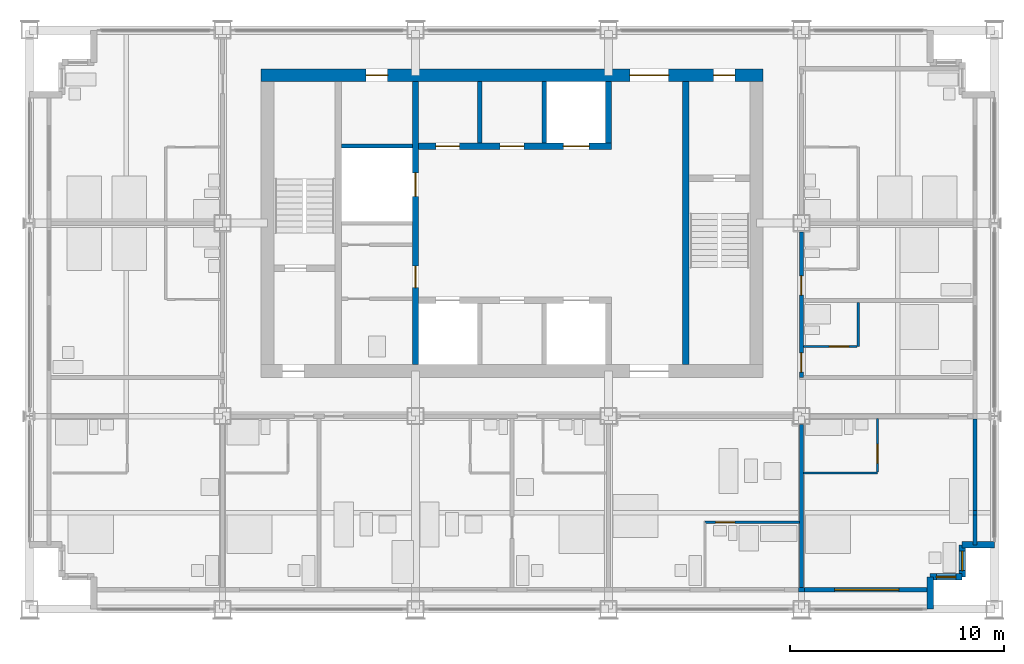
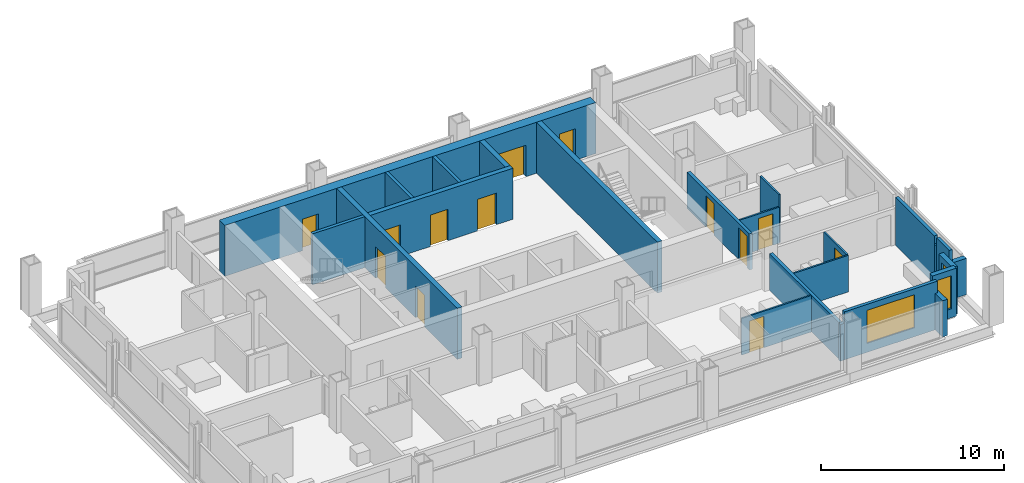
# One storey, part 9 of 13: 24 walls, 13 doors, 3 windows, 16 openings.
"""IFC4 building model written with IfcOpenShell, lengths in metres."""

import ifcopenshell
import ifcopenshell.guid

model = None  # the IFC model being written
_history = None  # IfcOwnerHistory: only IFC2X3 demands one
_inside = {}  # id of a spatial element -> (the spatial element, [elements in it])
_under = {}  # id of a project, library or spatial element -> (it, [spatial elements below it])
_declared = {}  # id of a project -> (the project, [libraries it declares])
_typed = {}  # id of a type object -> (the type object, [elements of that type])
_made_of = {}  # id of a material, layer set ... -> (it, [elements and type objects made of it])


def new_model(schema):
    """Start an empty IFC model of exactly this schema.

    Asked for "IFC4X3", IfcOpenShell would pick the latest addendum, in which some entities
    have other attributes; the version numbers below select the first issue.
    IFC2X3 requires an IfcOwnerHistory on every rooted entity: one is made here for all.
    """
    global model, _history
    if schema == "IFC4X3":
        model = ifcopenshell.file(schema_version=(4, 3, 0, 0))
    else:
        model = ifcopenshell.file(schema=schema)
    _inside.clear()
    _under.clear()
    _declared.clear()
    _typed.clear()
    _made_of.clear()
    _history = None
    if model.schema == "IFC2X3":
        org = make("IfcOrganization", Name="unknown")
        user = make(
            "IfcPersonAndOrganization",
            ThePerson=make("IfcPerson", FamilyName="unknown"),
            TheOrganization=org,
        )
        app = make(
            "IfcApplication",
            ApplicationDeveloper=org,
            Version="unknown",
            ApplicationFullName="unknown",
            ApplicationIdentifier="unknown",
        )
        _history = make(
            "IfcOwnerHistory",
            OwningUser=user,
            OwningApplication=app,
            ChangeAction="ADDED",
            CreationDate=0,
        )
    return model


def make(cls, **values):
    """One entity of the class cls with the attributes given. An attribute that is None is left unset."""
    return model.create_entity(
        cls, **{name: value for name, value in values.items() if value is not None}
    )


def rooted(cls, **values):
    """An entity with a GlobalId (a new one), such as an element, a storey or a relation."""
    return make(cls, GlobalId=ifcopenshell.guid.new(), OwnerHistory=_history, **values)


def si_unit(unit_type, name, prefix=None):
    """IfcSIUnit, for example si_unit("LENGTHUNIT", "METRE", prefix="MILLI")."""
    return make("IfcSIUnit", UnitType=unit_type, Prefix=prefix, Name=name)


def assignment(units):
    """IfcUnitAssignment: the units of a project."""
    return None if units is None else make("IfcUnitAssignment", Units=units)


def point(xyz):
    """IfcCartesianPoint."""
    return None if xyz is None else make("IfcCartesianPoint", Coordinates=xyz)


def direction(xyz):
    """IfcDirection."""
    return None if xyz is None else make("IfcDirection", DirectionRatios=xyz)


def frame(location, z_axis=None, x_axis=None):
    """IfcAxis2Placement3D, a coordinate frame: its origin and axes. An axis left out is left unset."""
    return make(
        "IfcAxis2Placement3D",
        Location=point(location),
        Axis=direction(z_axis),
        RefDirection=direction(x_axis),
    )


def frame_2d(location, x_axis=None):
    """IfcAxis2Placement2D, a coordinate frame in the plane: its origin and x axis."""
    return make(
        "IfcAxis2Placement2D", Location=point(location), RefDirection=direction(x_axis)
    )


def origin():
    """The frame at (0, 0, 0) with its axes left unset."""
    return frame((0.0, 0.0, 0.0))


def place(relative_to, where):
    """IfcLocalPlacement: puts the frame where relative to a parent placement (None: the world)."""
    return make(
        "IfcLocalPlacement", PlacementRelTo=relative_to, RelativePlacement=where
    )


def context(
    kind, dimensions, precision=None, world=None, true_north=None, identifier=None
):
    """IfcGeometricRepresentationContext, for example the 3D "Model" context."""
    return make(
        "IfcGeometricRepresentationContext",
        ContextIdentifier=identifier,
        ContextType=kind,
        CoordinateSpaceDimension=dimensions,
        Precision=precision,
        WorldCoordinateSystem=world,
        TrueNorth=true_north,
    )


def subcontext(parent, identifier, kind, view, scale=None):
    """IfcGeometricRepresentationSubContext, for example "Body" below "Model"."""
    return make(
        "IfcGeometricRepresentationSubContext",
        ContextIdentifier=identifier,
        ContextType=kind,
        ParentContext=parent,
        TargetScale=scale,
        TargetView=view,
    )


def project(units=None, contexts=None):
    """IfcProject with its units and contexts."""
    return rooted(
        "IfcProject",
        Name="project",
        RepresentationContexts=contexts,
        UnitsInContext=assignment(units),
    )


def spatial(cls, under=None, at=None, **own):
    """A site, building, storey or space (cls), placed at a placement, below another one or the project."""
    s = rooted(cls, ObjectPlacement=at, **own)
    if under is not None:
        _under.setdefault(under.id(), (under, []))[1].append(s)
    return s


def profile(cls, at=None, kind="AREA", **sizes):
    """A parametric profile (cls). Its sizes go by their IFC names, for example OverallWidth=200.0."""
    return make(cls, ProfileType=kind, Position=at, **sizes)


def rectangle(**sizes):
    """IfcRectangleProfileDef."""
    return profile("IfcRectangleProfileDef", **sizes)


def extrude(swept, where, along, depth):
    """IfcExtrudedAreaSolid: the profile swept, set in the frame where, extruded along a direction by depth."""
    return make(
        "IfcExtrudedAreaSolid",
        SweptArea=swept,
        Position=where,
        ExtrudedDirection=direction(along),
        Depth=depth,
    )


def shape(context_of_items, identifier, shape_type, items):
    """IfcShapeRepresentation: the items that make up one representation, for example the "Body"."""
    return make(
        "IfcShapeRepresentation",
        ContextOfItems=context_of_items,
        RepresentationIdentifier=identifier,
        RepresentationType=shape_type,
        Items=items,
    )


def material(Name=None, Category=None):
    """IfcMaterial."""
    return make("IfcMaterial", Name=Name, Category=Category)


def layer(
    of_material, thickness, ventilated=None, Name=None, Category=None, Priority=None
):
    """IfcMaterialLayer: one layer of a wall or slab, of a material (None: an air gap)."""
    return make(
        "IfcMaterialLayer",
        Material=of_material,
        LayerThickness=thickness,
        IsVentilated=ventilated,
        Name=Name,
        Category=Category,
        Priority=Priority,
    )


def layer_set(layers, Name=None):
    """IfcMaterialLayerSet."""
    return make("IfcMaterialLayerSet", MaterialLayers=layers, LayerSetName=Name)


def made_of(thing, what):
    """Note that an element or type object is made of a material, layer set ...; save() writes the relation."""
    if what is not None:
        _made_of.setdefault(what.id(), (what, []))[1].append(thing)
    return thing


def type_object(cls, material=None, **own):
    """A type object (cls), such as IfcWallType, which elements share."""
    return made_of(rooted(cls, **own), material)


def element(
    cls,
    number,
    at=None,
    inside=None,
    cuts=None,
    type_object=None,
    material=None,
    context=None,
    identifier="Body",
    shape_type=None,
    held_by="IfcProductDefinitionShape",
    body=None,
    shapes=None,
    **own,
):
    """One element of the class cls, such as IfcWall. Its Tag is "e" and its number.

    at: its placement. inside: the storey or other place that contains it. cuts: it is an
    opening in that element (IfcRelVoidsElement). A single representation is given by context,
    identifier, shape_type and body (its items); several are given by shapes. held_by: the class
    of the entity that holds the representations. save() writes the other relations.
    """
    e = rooted(cls, Tag="e%d" % number, ObjectPlacement=at, **own)
    if body is not None:
        shapes = [shape(context, identifier, shape_type, body)]
    if shapes is not None:
        e.Representation = make(held_by, Representations=shapes)
    if inside is not None:
        _inside.setdefault(inside.id(), (inside, []))[1].append(e)
    if cuts is not None:
        rooted(
            "IfcRelVoidsElement", RelatingBuildingElement=cuts, RelatedOpeningElement=e
        )
    if type_object is not None:
        _typed.setdefault(type_object.id(), (type_object, []))[1].append(e)
    return made_of(e, material)


def fill(opening, filler):
    """IfcRelFillsElement: the door or window that sits in an opening."""
    return rooted(
        "IfcRelFillsElement",
        RelatingOpeningElement=opening,
        RelatedBuildingElement=filler,
    )


def aggregate(whole, parts):
    """IfcRelAggregates: a whole, such as a stair, and the parts it consists of."""
    return rooted("IfcRelAggregates", RelatingObject=whole, RelatedObjects=parts)


def save(model, path):
    """Write the relations noted so far, then the file.

    IfcRelAggregates (storeys below a building ...), IfcRelContainedInSpatialStructure (elements
    in a storey), IfcRelDefinesByType, IfcRelAssociatesMaterial and IfcRelDeclares: one each for
    every whole, place, type object, material and project.
    """
    for whole, parts in _under.values():
        aggregate(whole, parts)
    for where, things in _inside.values():
        rooted(
            "IfcRelContainedInSpatialStructure",
            RelatedElements=things,
            RelatingStructure=where,
        )
    for kind, things in _typed.values():
        rooted("IfcRelDefinesByType", RelatedObjects=things, RelatingType=kind)
    for what, things in _made_of.values():
        rooted("IfcRelAssociatesMaterial", RelatedObjects=things, RelatingMaterial=what)
    for by, libraries in _declared.values():
        rooted("IfcRelDeclares", RelatingContext=by, RelatedDefinitions=libraries)
    model.write(path)


model = new_model("IFC4")

# Units and contexts
model_context = context("Model", 3, precision=1e-05, world=origin(), true_north=direction((0.0, 1.0)))
body_context = subcontext(model_context, "Body", "Model", "MODEL_VIEW")
ifc_project = project(units=[si_unit("LENGTHUNIT", "METRE"), si_unit("AREAUNIT", "SQUARE_METRE"), si_unit("VOLUMEUNIT", "CUBIC_METRE"), si_unit("PLANEANGLEUNIT", "RADIAN"), si_unit("MASSUNIT", "GRAM", prefix="KILO")], contexts=[model_context])

# Site, building, storey
site_placement = place(None, origin())
site = spatial("IfcSite", under=ifc_project, at=site_placement, CompositionType="ELEMENT")
building_placement = place(site_placement, origin())
building = spatial("IfcBuilding", under=site, at=building_placement, Name="Loomwork Tower", CompositionType="ELEMENT")
storey_placement = place(building_placement, frame((0.0, 0.0, 201.199951171875)))
storey = spatial("IfcBuildingStorey", under=building, at=storey_placement, Name="L55", CompositionType="ELEMENT", Elevation=201.199951171875)

# Wall, openings, doors
ifc_material_1 = material(Name="Concrete 14000 psi (97 MPa)", Category="concrete")
ifc_layer_1 = layer(ifc_material_1, 0.300048828125)
ifc_layer_set_1 = layer_set([ifc_layer_1], Name="Core shear wall 300")
wall_type_1 = type_object("IfcWallType", Name="Core shear wall 300", PredefinedType="SHEAR", material=ifc_layer_set_1)
wall_1_placement = place(storey_placement, frame((18.0, 11.39990234375, 0.0), z_axis=(0.0, 0.0, 1.0), x_axis=(0.0, 1.0, 0.0)))
wall_1 = element("IfcWall", 1, at=wall_1_placement, inside=storey, type_object=wall_type_1, Name="Lobby west wall L55", PredefinedType="SHEAR", context=body_context, shape_type="SweptSolid", body=[
    extrude(rectangle(XDim=13.2001953125, YDim=0.300048828125, at=frame_2d((6.60009765625, 0.0))), origin(), (0.0, 0.0, 1.0), 3.400146484375),
])
opening_1_placement = place(wall_1_placement, frame((3.60009765625, 0.0, 0.0)))
opening_1 = element("IfcOpeningElement", 2, at=opening_1_placement, cuts=wall_1, Name="Opening D5", PredefinedType="OPENING", context=body_context, shape_type="SweptSolid", body=[
    extrude(rectangle(XDim=1.0, YDim=2.10009765625, at=frame_2d((0.5, 1.050048828125))), frame((0.0, 0.159912109375, 0.0), z_axis=(0.0, -1.0, 0.0), x_axis=(1.0, 0.0, 0.0)), (0.0, 0.0, 1.0), 0.320068359375),
])
opening_2_placement = place(wall_1_placement, frame((7.85009765625, 0.0, 0.0)))
opening_2 = element("IfcOpeningElement", 3, at=opening_2_placement, cuts=wall_1, Name="Opening LD1", PredefinedType="OPENING", context=body_context, shape_type="SweptSolid", body=[
    extrude(rectangle(XDim=1.10009765625, YDim=2.10009765625, at=frame_2d((0.550048828125, 1.050048828125))), frame((0.0, 0.159912109375, 0.0), z_axis=(0.0, -1.0, 0.0), x_axis=(1.0, 0.0, 0.0)), (0.0, 0.0, 1.0), 0.320068359375),
])
ifc_material_2 = material(Name="Hollow metal door and frame")
door_type_1 = type_object("IfcDoorType", Name="Lift landing door 1100", OperationType="SLIDING_TO_LEFT", PredefinedType="DOOR", material=ifc_material_2)
door_1_placement = place(opening_2_placement, origin())
door_1 = element("IfcDoor", 4, at=door_1_placement, inside=storey, type_object=door_type_1, Name="Lift landing door LC2", OperationType="SLIDING_TO_LEFT", OverallHeight=2.10009765625, OverallWidth=1.10009765625, PredefinedType="DOOR", context=body_context, shape_type="SweptSolid", body=[
    extrude(rectangle(XDim=1.10009765625, YDim=2.10009765625, at=frame_2d((0.550048828125, 1.050048828125))), frame((0.0, 0.02490234375, 0.0), z_axis=(0.0, -1.0, 0.0), x_axis=(1.0, 0.0, 0.0)), (0.0, 0.0, 1.0), 0.050048828125),
])
fill(opening_2, door_1)
ifc_material_3 = material(Name="Hollow metal door and frame")
door_type_2 = type_object("IfcDoorType", Name="Service door 1000", OperationType="SINGLE_SWING_LEFT", PredefinedType="DOOR", material=ifc_material_3)
door_2_placement = place(opening_1_placement, origin())
door_2 = element("IfcDoor", 5, at=door_2_placement, inside=storey, type_object=door_type_2, Name="Back-of-house door south", OperationType="SINGLE_SWING_LEFT", OverallHeight=2.10009765625, OverallWidth=1.0, PredefinedType="DOOR", context=body_context, shape_type="SweptSolid", body=[
    extrude(rectangle(XDim=1.0, YDim=2.10009765625, at=frame_2d((0.5, 1.050048828125))), frame((0.0, 0.02490234375, 0.0), z_axis=(0.0, -1.0, 0.0), x_axis=(1.0, 0.0, 0.0)), (0.0, 0.0, 1.0), 0.050048828125),
])
fill(opening_1, door_2)

wall_2_placement = place(storey_placement, frame((18.14990234375, 21.60009765625, 0.0), z_axis=(0.0, 0.0, 1.0), x_axis=(1.0, 0.0, 0.0)))
wall_2 = element("IfcWall", 6, at=wall_2_placement, inside=storey, type_object=wall_type_1, Name="Lift front wall north L55", PredefinedType="SHEAR", context=body_context, shape_type="SweptSolid", body=[
    extrude(rectangle(XDim=9.0, YDim=0.300048828125, at=frame_2d((4.5, 0.0))), origin(), (0.0, 0.0, 1.0), 3.400146484375),
])
opening_3_placement = place(wall_2_placement, frame((6.75, 0.0, 0.0)))
opening_3 = element("IfcOpeningElement", 7, at=opening_3_placement, cuts=wall_2, Name="Opening LD2", PredefinedType="OPENING", context=body_context, shape_type="SweptSolid", body=[
    extrude(rectangle(XDim=1.199951171875, YDim=2.10009765625, at=frame_2d((0.60009765625, 1.050048828125))), frame((0.0, 0.159912109375, 0.0), z_axis=(0.0, -1.0, 0.0), x_axis=(1.0, 0.0, 0.0)), (0.0, 0.0, 1.0), 0.320068359375),
])
opening_4_placement = place(wall_2_placement, frame((0.800048828125, 0.0, 0.0)))
opening_4 = element("IfcOpeningElement", 8, at=opening_4_placement, cuts=wall_2, Name="Opening D17", PredefinedType="OPENING", context=body_context, shape_type="SweptSolid", body=[
    extrude(rectangle(XDim=1.10009765625, YDim=2.10009765625, at=frame_2d((0.550048828125, 1.050048828125))), frame((0.0, 0.159912109375, 0.0), z_axis=(0.0, -1.0, 0.0), x_axis=(1.0, 0.0, 0.0)), (0.0, 0.0, 1.0), 0.320068359375),
])
opening_5_placement = place(wall_2_placement, frame((3.800048828125, 0.0, 0.0)))
opening_5 = element("IfcOpeningElement", 9, at=opening_5_placement, cuts=wall_2, Name="Opening D17", PredefinedType="OPENING", context=body_context, shape_type="SweptSolid", body=[
    extrude(rectangle(XDim=1.10009765625, YDim=2.10009765625, at=frame_2d((0.550048828125, 1.050048828125))), frame((0.0, 0.159912109375, 0.0), z_axis=(0.0, -1.0, 0.0), x_axis=(1.0, 0.0, 0.0)), (0.0, 0.0, 1.0), 0.320068359375),
])
ifc_material_4 = material(Name="Hollow metal door and frame")
door_type_3 = type_object("IfcDoorType", Name="Lift landing door 1200", OperationType="SLIDING_TO_LEFT", PredefinedType="DOOR", material=ifc_material_4)
door_3_placement = place(opening_3_placement, origin())
door_3 = element("IfcDoor", 10, at=door_3_placement, inside=storey, type_object=door_type_3, Name="Lift landing door LF2", OperationType="SLIDING_TO_LEFT", OverallHeight=2.10009765625, OverallWidth=1.199951171875, PredefinedType="DOOR", context=body_context, shape_type="SweptSolid", body=[
    extrude(rectangle(XDim=1.199951171875, YDim=2.10009765625, at=frame_2d((0.60009765625, 1.050048828125))), frame((0.0, 0.02490234375, 0.0), z_axis=(0.0, -1.0, 0.0), x_axis=(1.0, 0.0, 0.0)), (0.0, 0.0, 1.0), 0.050048828125),
])
fill(opening_3, door_3)
ifc_material_5 = material(Name="Hollow metal door and frame")
door_type_4 = type_object("IfcDoorType", Name="Service room door 1100", OperationType="SINGLE_SWING_LEFT", PredefinedType="DOOR", material=ifc_material_5)
door_4_placement = place(opening_4_placement, origin())
door_4 = element("IfcDoor", 11, at=door_4_placement, inside=storey, type_object=door_type_4, Name="Linen and housekeeping store door L55", OperationType="SINGLE_SWING_LEFT", OverallHeight=2.10009765625, OverallWidth=1.10009765625, PredefinedType="DOOR", context=body_context, shape_type="SweptSolid", body=[
    extrude(rectangle(XDim=1.10009765625, YDim=2.10009765625, at=frame_2d((0.550048828125, 1.050048828125))), frame((0.0, 0.02490234375, 0.0), z_axis=(0.0, -1.0, 0.0), x_axis=(1.0, 0.0, 0.0)), (0.0, 0.0, 1.0), 0.050048828125),
])
fill(opening_4, door_4)
door_5_placement = place(opening_5_placement, origin())
door_5 = element("IfcDoor", 12, at=door_5_placement, inside=storey, type_object=door_type_4, Name="IT and communications room door L55", OperationType="SINGLE_SWING_LEFT", OverallHeight=2.10009765625, OverallWidth=1.10009765625, PredefinedType="DOOR", context=body_context, shape_type="SweptSolid", body=[
    extrude(rectangle(XDim=1.10009765625, YDim=2.10009765625, at=frame_2d((0.550048828125, 1.050048828125))), frame((0.0, 0.02490234375, 0.0), z_axis=(0.0, -1.0, 0.0), x_axis=(1.0, 0.0, 0.0)), (0.0, 0.0, 1.0), 0.050048828125),
])
fill(opening_5, door_5)

# Walls
wall_3_placement = place(storey_placement, frame((27.0, 21.75, 0.0), z_axis=(0.0, 0.0, 1.0), x_axis=(0.0, 1.0, 0.0)))
element("IfcWall", 13, at=wall_3_placement, inside=storey, type_object=wall_type_1, Name="Lift shaft end wall north L55", PredefinedType="SHEAR", context=body_context, shape_type="SweptSolid", body=[
    extrude(rectangle(XDim=2.85009765625, YDim=0.300048828125, at=frame_2d((1.425048828125, 0.0))), origin(), (0.0, 0.0, 1.0), 3.400146484375),
])
wall_4_placement = place(storey_placement, frame((30.60009765625, 11.39990234375, 0.0), z_axis=(0.0, 0.0, 1.0), x_axis=(0.0, 1.0, 0.0)))
element("IfcWall", 14, at=wall_4_placement, inside=storey, type_object=wall_type_1, Name="Stair B west wall L55", PredefinedType="SHEAR", context=body_context, shape_type="SweptSolid", body=[
    extrude(rectangle(XDim=13.2001953125, YDim=0.300048828125, at=frame_2d((6.60009765625, 0.0))), origin(), (0.0, 0.0, 1.0), 3.400146484375),
])

# Wall, openings, doors
ifc_material_6 = material(Name="Concrete 14000 psi (97 MPa)", Category="concrete")
ifc_layer_2 = layer(ifc_material_6, 0.60009765625)
ifc_layer_set_2 = layer_set([ifc_layer_2], Name="Core shear wall 600")
wall_type_2 = type_object("IfcWallType", Name="Core shear wall 600", PredefinedType="SHEAR", material=ifc_layer_set_2)
wall_5_placement = place(storey_placement, frame((10.800048828125, 24.89990234375, 0.0), z_axis=(0.0, 0.0, 1.0), x_axis=(1.0, 0.0, 0.0)))
wall_5 = element("IfcWall", 15, at=wall_5_placement, inside=storey, type_object=wall_type_2, Name="Core wall north L55", PredefinedType="SHEAR", context=body_context, shape_type="SweptSolid", body=[
    extrude(rectangle(XDim=23.39990234375, YDim=0.60009765625, at=frame_2d((11.699951171875, 0.0))), origin(), (0.0, 0.0, 1.0), 3.400146484375),
])
opening_6_placement = place(wall_5_placement, frame((17.199951171875, 0.0, 0.0)))
opening_6 = element("IfcOpeningElement", 16, at=opening_6_placement, cuts=wall_5, Name="Opening D6", PredefinedType="OPENING", context=body_context, shape_type="SweptSolid", body=[
    extrude(rectangle(XDim=1.800048828125, YDim=2.10009765625, at=frame_2d((0.89990234375, 1.050048828125))), frame((0.0, 0.31005859375, 0.0), z_axis=(0.0, -1.0, 0.0), x_axis=(1.0, 0.0, 0.0)), (0.0, 0.0, 1.0), 0.6201171875),
])
opening_7_placement = place(wall_5_placement, frame((21.10009765625, 0.0, 0.0)))
opening_7 = element("IfcOpeningElement", 17, at=opening_7_placement, cuts=wall_5, Name="Opening D4", PredefinedType="OPENING", context=body_context, shape_type="SweptSolid", body=[
    extrude(rectangle(XDim=1.0, YDim=2.10009765625, at=frame_2d((0.5, 1.050048828125))), frame((0.0, 0.31005859375, 0.0), z_axis=(0.0, -1.0, 0.0), x_axis=(1.0, 0.0, 0.0)), (0.0, 0.0, 1.0), 0.6201171875),
])
opening_8_placement = place(wall_5_placement, frame((4.89990234375, 0.0, 0.0)))
opening_8 = element("IfcOpeningElement", 18, at=opening_8_placement, cuts=wall_5, Name="Opening D5", PredefinedType="OPENING", context=body_context, shape_type="SweptSolid", body=[
    extrude(rectangle(XDim=1.0, YDim=2.10009765625, at=frame_2d((0.5, 1.050048828125))), frame((0.0, 0.31005859375, 0.0), z_axis=(0.0, -1.0, 0.0), x_axis=(1.0, 0.0, 0.0)), (0.0, 0.0, 1.0), 0.6201171875),
])
ifc_material_7 = material(Name="Hollow metal door and frame")
door_type_5 = type_object("IfcDoorType", Name="Lobby passage double door 1800", OperationType="DOUBLE_DOOR_SINGLE_SWING", PredefinedType="DOOR", material=ifc_material_7)
door_6_placement = place(opening_6_placement, frame((1.800048828125, 0.0, 0.0), z_axis=(0.0, 0.0, 1.0), x_axis=(-1.0, 0.0, 0.0)))
door_6 = element("IfcDoor", 19, at=door_6_placement, inside=storey, type_object=door_type_5, Name="Lobby passage door north", OperationType="DOUBLE_DOOR_SINGLE_SWING", OverallHeight=2.10009765625, OverallWidth=1.800048828125, PredefinedType="DOOR", context=body_context, shape_type="SweptSolid", body=[
    extrude(rectangle(XDim=1.800048828125, YDim=2.10009765625, at=frame_2d((0.89990234375, 1.050048828125))), frame((0.0, 0.02490234375, 0.0), z_axis=(0.0, -1.0, 0.0), x_axis=(1.0, 0.0, 0.0)), (0.0, 0.0, 1.0), 0.050048828125),
])
fill(opening_6, door_6)
door_7_placement = place(opening_8_placement, frame((1.0, 0.0, 0.0), z_axis=(0.0, 0.0, 1.0), x_axis=(-1.0, 0.0, 0.0)))
door_7 = element("IfcDoor", 20, at=door_7_placement, inside=storey, type_object=door_type_2, Name="Back-of-house door north", OperationType="SINGLE_SWING_LEFT", OverallHeight=2.10009765625, OverallWidth=1.0, PredefinedType="DOOR", context=body_context, shape_type="SweptSolid", body=[
    extrude(rectangle(XDim=1.0, YDim=2.10009765625, at=frame_2d((0.5, 1.050048828125))), frame((0.0, 0.02490234375, 0.0), z_axis=(0.0, -1.0, 0.0), x_axis=(1.0, 0.0, 0.0)), (0.0, 0.0, 1.0), 0.050048828125),
])
fill(opening_8, door_7)
ifc_material_8 = material(Name="Hollow metal door and frame")
door_type_6 = type_object("IfcDoorType", Name="Stair door 1000", OperationType="SINGLE_SWING_RIGHT", PredefinedType="DOOR", material=ifc_material_8)
door_8_placement = place(opening_7_placement, frame((1.0, 0.0, 0.0), z_axis=(0.0, 0.0, 1.0), x_axis=(-1.0, 0.0, 0.0)))
door_8 = element("IfcDoor", 21, at=door_8_placement, inside=storey, type_object=door_type_6, Name="Stair B vestibule door", OperationType="SINGLE_SWING_LEFT", OverallHeight=2.10009765625, OverallWidth=1.0, PredefinedType="DOOR", context=body_context, shape_type="SweptSolid", body=[
    extrude(rectangle(XDim=1.0, YDim=2.10009765625, at=frame_2d((0.5, 1.050048828125))), frame((0.0, 0.02490234375, 0.0), z_axis=(0.0, -1.0, 0.0), x_axis=(1.0, 0.0, 0.0)), (0.0, 0.0, 1.0), 0.050048828125),
])
fill(opening_7, door_8)

ifc_material_9 = material(Name="Gypsum board on steel studs, one-hour", Category="steel")
ifc_layer_3 = layer(ifc_material_9, 0.199951171875)
ifc_layer_set_3 = layer_set([ifc_layer_3], Name="Corridor wall 200")
wall_type_3 = type_object("IfcWallType", Name="Corridor wall 200", PredefinedType="PARTITIONING", material=ifc_layer_set_3)
wall_6_placement = place(storey_placement, frame((36.0, 10.800048828125, 0.0), z_axis=(0.0, 0.0, 1.0), x_axis=(0.0, 1.0, 0.0)))
wall_6 = element("IfcWall", 22, at=wall_6_placement, inside=storey, type_object=wall_type_3, Name="East corridor wall 1", PredefinedType="PARTITIONING", context=body_context, shape_type="SweptSolid", body=[
    extrude(rectangle(XDim=6.800048828125, YDim=0.199951171875, at=frame_2d((3.39990234375, 0.0))), origin(), (0.0, 0.0, 1.0), 2.405029296875),
])
opening_9_placement = place(wall_6_placement, frame((0.25, 0.0, 0.0)))
opening_9 = element("IfcOpeningElement", 23, at=opening_9_placement, cuts=wall_6, Name="Opening D1", PredefinedType="OPENING", context=body_context, shape_type="SweptSolid", body=[
    extrude(rectangle(XDim=0.89990234375, YDim=2.10009765625, at=frame_2d((0.449951171875, 1.050048828125))), frame((0.0, 0.10986328125, 0.0), z_axis=(0.0, -1.0, 0.0), x_axis=(1.0, 0.0, 0.0)), (0.0, 0.0, 1.0), 0.219970703125),
])
opening_10_placement = place(wall_6_placement, frame((3.85009765625, 0.0, 0.0)))
opening_10 = element("IfcOpeningElement", 24, at=opening_10_placement, cuts=wall_6, Name="Opening D1", PredefinedType="OPENING", context=body_context, shape_type="SweptSolid", body=[
    extrude(rectangle(XDim=0.89990234375, YDim=2.10009765625, at=frame_2d((0.449951171875, 1.050048828125))), frame((0.0, 0.10986328125, 0.0), z_axis=(0.0, -1.0, 0.0), x_axis=(1.0, 0.0, 0.0)), (0.0, 0.0, 1.0), 0.219970703125),
])
ifc_material_10 = material(Name="Hollow metal door and frame")
door_type_7 = type_object("IfcDoorType", Name="Guest room entry door 900", OperationType="SINGLE_SWING_LEFT", PredefinedType="DOOR", material=ifc_material_10)
door_9_placement = place(opening_9_placement, frame((0.89990234375, 0.0, 0.0), z_axis=(0.0, 0.0, 1.0), x_axis=(-1.0, 0.0, 0.0)))
door_9 = element("IfcDoor", 25, at=door_9_placement, inside=storey, type_object=door_type_7, Name="Guest room entry door L55 9", OperationType="SINGLE_SWING_RIGHT", OverallHeight=2.10009765625, OverallWidth=0.89990234375, PredefinedType="DOOR", context=body_context, shape_type="SweptSolid", body=[
    extrude(rectangle(XDim=0.89990234375, YDim=2.10009765625, at=frame_2d((0.449951171875, 1.050048828125))), frame((0.0, 0.02490234375, 0.0), z_axis=(0.0, -1.0, 0.0), x_axis=(1.0, 0.0, 0.0)), (0.0, 0.0, 1.0), 0.050048828125),
])
fill(opening_9, door_9)
door_10_placement = place(opening_10_placement, frame((0.89990234375, 0.0, 0.0), z_axis=(0.0, 0.0, 1.0), x_axis=(-1.0, 0.0, 0.0)))
door_10 = element("IfcDoor", 26, at=door_10_placement, inside=storey, type_object=door_type_7, Name="Guest room entry door L55 10", OperationType="SINGLE_SWING_RIGHT", OverallHeight=2.10009765625, OverallWidth=0.89990234375, PredefinedType="DOOR", context=body_context, shape_type="SweptSolid", body=[
    extrude(rectangle(XDim=0.89990234375, YDim=2.10009765625, at=frame_2d((0.449951171875, 1.050048828125))), frame((0.0, 0.02490234375, 0.0), z_axis=(0.0, -1.0, 0.0), x_axis=(1.0, 0.0, 0.0)), (0.0, 0.0, 1.0), 0.050048828125),
])
fill(opening_10, door_10)

# Wall, opening, door
ifc_material_11 = material(Name="Cement board on steel studs", Category="steel")
ifc_layer_4 = layer(ifc_material_11, 0.10009765625)
ifc_layer_set_4 = layer_set([ifc_layer_4], Name="En-suite partition 100")
wall_type_4 = type_object("IfcWallType", Name="En-suite partition 100", PredefinedType="PARTITIONING", material=ifc_layer_set_4)
wall_7_placement = place(storey_placement, frame((31.5, 4.050048828125, 0.0), z_axis=(0.0, 0.0, 1.0), x_axis=(1.0, 0.0, 0.0)))
wall_7 = element("IfcWall", 27, at=wall_7_placement, inside=storey, type_object=wall_type_4, Name="Spa bathroom wall L55 room 5", PredefinedType="PARTITIONING", context=body_context, shape_type="SweptSolid", body=[
    extrude(rectangle(XDim=4.39990234375, YDim=0.10009765625, at=frame_2d((2.199951171875, 0.0))), origin(), (0.0, 0.0, 1.0), 2.43798828125),
])
opening_11_placement = place(wall_7_placement, frame((0.5, 0.0, 0.0)))
opening_11 = element("IfcOpeningElement", 28, at=opening_11_placement, cuts=wall_7, Name="Opening D2", PredefinedType="OPENING", context=body_context, shape_type="SweptSolid", body=[
    extrude(rectangle(XDim=0.89990234375, YDim=2.10009765625, at=frame_2d((0.449951171875, 1.050048828125))), frame((0.0, 0.06005859375, 0.0), z_axis=(0.0, -1.0, 0.0), x_axis=(1.0, 0.0, 0.0)), (0.0, 0.0, 1.0), 0.1201171875),
])
ifc_material_12 = material(Name="Hollow metal door and frame")
door_type_8 = type_object("IfcDoorType", Name="En-suite door 900", OperationType="SINGLE_SWING_LEFT", PredefinedType="DOOR", material=ifc_material_12)
door_11_placement = place(opening_11_placement, frame((0.89990234375, 0.0, 0.0), z_axis=(0.0, 0.0, 1.0), x_axis=(-1.0, 0.0, 0.0)))
door_11 = element("IfcDoor", 29, at=door_11_placement, inside=storey, type_object=door_type_8, Name="Spa bathroom door room 5", OperationType="SINGLE_SWING_RIGHT", OverallHeight=2.10009765625, OverallWidth=0.89990234375, PredefinedType="DOOR", context=body_context, shape_type="SweptSolid", body=[
    extrude(rectangle(XDim=0.89990234375, YDim=2.10009765625, at=frame_2d((0.449951171875, 1.050048828125))), frame((0.0, 0.02490234375, 0.0), z_axis=(0.0, -1.0, 0.0), x_axis=(1.0, 0.0, 0.0)), (0.0, 0.0, 1.0), 0.050048828125),
])
fill(opening_11, door_11)

# Wall
wall_8_placement = place(storey_placement, frame((36.10009765625, 6.35009765625, 0.0), z_axis=(0.0, 0.0, 1.0), x_axis=(1.0, 0.0, 0.0)))
element("IfcWall", 30, at=wall_8_placement, inside=storey, type_object=wall_type_4, Name="En-suite wall L55 room 6", PredefinedType="PARTITIONING", context=body_context, shape_type="SweptSolid", body=[
    extrude(rectangle(XDim=3.449951171875, YDim=0.10009765625, at=frame_2d((1.72509765625, 0.0))), origin(), (0.0, 0.0, 1.0), 2.43798828125),
])

# Wall, opening, door
wall_9_placement = place(storey_placement, frame((39.550048828125, 8.89990234375, 0.0), z_axis=(0.0, 0.0, 1.0), x_axis=(0.0, -1.0, 0.0)))
wall_9 = element("IfcWall", 31, at=wall_9_placement, inside=storey, type_object=wall_type_4, Name="En-suite side wall L55 room 6", PredefinedType="PARTITIONING", context=body_context, shape_type="SweptSolid", body=[
    extrude(rectangle(XDim=2.5, YDim=0.10009765625, at=frame_2d((1.25, 0.0))), origin(), (0.0, 0.0, 1.0), 2.43798828125),
])
opening_12_placement = place(wall_9_placement, frame((1.199951171875, 0.0, 0.0)))
opening_12 = element("IfcOpeningElement", 32, at=opening_12_placement, cuts=wall_9, Name="Opening D2", PredefinedType="OPENING", context=body_context, shape_type="SweptSolid", body=[
    extrude(rectangle(XDim=0.89990234375, YDim=2.10009765625, at=frame_2d((0.449951171875, 1.050048828125))), frame((0.0, 0.06005859375, 0.0), z_axis=(0.0, -1.0, 0.0), x_axis=(1.0, 0.0, 0.0)), (0.0, 0.0, 1.0), 0.1201171875),
])
door_12_placement = place(opening_12_placement, frame((0.89990234375, 0.0, 0.0), z_axis=(0.0, 0.0, 1.0), x_axis=(-1.0, 0.0, 0.0)))
door_12 = element("IfcDoor", 33, at=door_12_placement, inside=storey, type_object=door_type_8, Name="En-suite door room 6", OperationType="SINGLE_SWING_LEFT", OverallHeight=2.10009765625, OverallWidth=0.89990234375, PredefinedType="DOOR", context=body_context, shape_type="SweptSolid", body=[
    extrude(rectangle(XDim=0.89990234375, YDim=2.10009765625, at=frame_2d((0.449951171875, 1.050048828125))), frame((0.0, 0.02490234375, 0.0), z_axis=(0.0, -1.0, 0.0), x_axis=(1.0, 0.0, 0.0)), (0.0, 0.0, 1.0), 0.050048828125),
])
fill(opening_12, door_12)

# Wall
wall_10_placement = place(storey_placement, frame((38.64990234375, 12.25, 0.0), z_axis=(0.0, 0.0, 1.0), x_axis=(0.0, 1.0, 0.0)))
element("IfcWall", 34, at=wall_10_placement, inside=storey, type_object=wall_type_4, Name="En-suite wall L55 room 9", PredefinedType="PARTITIONING", context=body_context, shape_type="SweptSolid", body=[
    extrude(rectangle(XDim=2.050048828125, YDim=0.10009765625, at=frame_2d((1.02490234375, 0.0))), origin(), (0.0, 0.0, 1.0), 3.199951171875),
])

# Wall, opening, door
wall_11_placement = place(storey_placement, frame((36.10009765625, 12.25, 0.0), z_axis=(0.0, 0.0, 1.0), x_axis=(1.0, 0.0, 0.0)))
wall_11 = element("IfcWall", 35, at=wall_11_placement, inside=storey, type_object=wall_type_4, Name="En-suite side wall L55 room 9", PredefinedType="PARTITIONING", context=body_context, shape_type="SweptSolid", body=[
    extrude(rectangle(XDim=2.5, YDim=0.10009765625, at=frame_2d((1.25, 0.0))), origin(), (0.0, 0.0, 1.0), 2.404052734375),
])
opening_13_placement = place(wall_11_placement, frame((1.199951171875, 0.0, 0.0)))
opening_13 = element("IfcOpeningElement", 36, at=opening_13_placement, cuts=wall_11, Name="Opening D3", PredefinedType="OPENING", context=body_context, shape_type="SweptSolid", body=[
    extrude(rectangle(XDim=0.89990234375, YDim=2.10009765625, at=frame_2d((0.449951171875, 1.050048828125))), frame((0.0, 0.06005859375, 0.0), z_axis=(0.0, -1.0, 0.0), x_axis=(1.0, 0.0, 0.0)), (0.0, 0.0, 1.0), 0.1201171875),
])
ifc_material_13 = material(Name="Hollow metal door and frame")
door_type_9 = type_object("IfcDoorType", Name="Accessible en-suite door 900", OperationType="SLIDING_TO_LEFT", PredefinedType="DOOR", material=ifc_material_13)
door_13_placement = place(opening_13_placement, origin())
door_13 = element("IfcDoor", 37, at=door_13_placement, inside=storey, type_object=door_type_9, Name="Accessible en-suite door room 9", OperationType="SLIDING_TO_LEFT", OverallHeight=2.10009765625, OverallWidth=0.89990234375, PredefinedType="DOOR", context=body_context, shape_type="SweptSolid", body=[
    extrude(rectangle(XDim=0.89990234375, YDim=2.10009765625, at=frame_2d((0.449951171875, 1.050048828125))), frame((0.0, 0.02490234375, 0.0), z_axis=(0.0, -1.0, 0.0), x_axis=(1.0, 0.0, 0.0)), (0.0, 0.0, 1.0), 0.050048828125),
])
fill(opening_13, door_13)

# Walls
ifc_material_14 = material(Name="Gypsum board on steel studs, acoustic", Category="steel")
ifc_layer_5 = layer(ifc_material_14, 0.199951171875)
ifc_layer_set_5 = layer_set([ifc_layer_5], Name="Guest room party wall 200")
wall_type_5 = type_object("IfcWallType", Name="Guest room party wall 200", PredefinedType="PARTITIONING", material=ifc_layer_set_5)
wall_12_placement = place(storey_placement, frame((36.0, 8.60009765625, 0.0), z_axis=(0.0, 0.0, 1.0), x_axis=(0.0, -1.0, 0.0)))
element("IfcWall", 38, at=wall_12_placement, inside=storey, type_object=wall_type_5, Name="Guest room party wall S 36", PredefinedType="PARTITIONING", context=body_context, shape_type="SweptSolid", body=[
    extrude(rectangle(XDim=7.60009765625, YDim=0.199951171875, at=frame_2d((3.800048828125, 0.0))), origin(), (0.0, 0.0, 1.0), 2.43798828125),
])
ifc_material_15 = material(Name="Insulated steel stud wall with gypsum lining", Category="steel")
ifc_layer_6 = layer(ifc_material_15, 0.199951171875)
ifc_layer_set_6 = layer_set([ifc_layer_6], Name="Inner skin wall 200")
wall_type_6 = type_object("IfcWallType", Name="Inner skin wall 200", PredefinedType="SOLIDWALL", material=ifc_layer_set_6)
wall_13_placement = place(storey_placement, frame((44.10009765625, 3.0, 0.0), z_axis=(0.0, 0.0, 1.0), x_axis=(0.0, 1.0, 0.0)))
element("IfcWall", 39, at=wall_13_placement, inside=storey, type_object=wall_type_6, Name="Inner skin wall E", PredefinedType="SOLIDWALL", context=body_context, shape_type="SweptSolid", body=[
    extrude(rectangle(XDim=1.392578125, YDim=0.199951171875, at=frame_2d((0.6962890625, 0.0))), origin(), (0.0, 0.0, 1.0), 3.199951171875),
])
wall_14_placement = place(storey_placement, frame((35.864501953125, 0.89990234375, 0.0), z_axis=(0.0, 0.0, 1.0), x_axis=(1.0, 0.0, 0.0)))
element("IfcWall", 40, at=wall_14_placement, inside=storey, type_object=wall_type_6, Name="Inner skin wall S bay 8", PredefinedType="SOLIDWALL", context=body_context, shape_type="SweptSolid", body=[
    extrude(rectangle(XDim=0.27099609375, YDim=0.199951171875, at=frame_2d((0.135498046875, 0.0))), origin(), (0.0, 0.0, 1.0), 2.43798828125),
])

# Wall, opening, window
wall_15_placement = place(storey_placement, frame((36.135498046875, 0.89990234375, 0.0), z_axis=(0.0, 0.0, 1.0), x_axis=(1.0, 0.0, 0.0)))
wall_15 = element("IfcWall", 41, at=wall_15_placement, inside=storey, type_object=wall_type_6, Name="Inner skin wall S bay 9", PredefinedType="SOLIDWALL", context=body_context, shape_type="SweptSolid", body=[
    extrude(rectangle(XDim=5.864501953125, YDim=0.199951171875, at=frame_2d((2.93212890625, 0.0))), origin(), (0.0, 0.0, 1.0), 3.199951171875),
])
opening_14_placement = place(wall_15_placement, frame((1.41455078125, 0.0, 0.60009765625)))
opening_14 = element("IfcOpeningElement", 42, at=opening_14_placement, cuts=wall_15, Name="Opening CH1", PredefinedType="OPENING", context=body_context, shape_type="SweptSolid", body=[
    extrude(rectangle(XDim=3.0, YDim=2.199951171875, at=frame_2d((1.5, 1.10009765625))), frame((0.0, 0.10986328125, 0.0), z_axis=(0.0, -1.0, 0.0), x_axis=(1.0, 0.0, 0.0)), (0.0, 0.0, 1.0), 0.219970703125),
])
ifc_material_16 = material(Name="Aluminium frame with clear insulated glass", Category="aluminium")
window_type_1 = type_object("IfcWindowType", Name="Chicago window 3000", PartitioningType="TRIPLE_PANEL_VERTICAL", PredefinedType="WINDOW", material=ifc_material_16)
window_1_placement = place(opening_14_placement, origin())
window_1 = element("IfcWindow", 43, at=window_1_placement, inside=storey, type_object=window_type_1, Name="Chicago window L55 bay 5", OverallHeight=2.199951171875, OverallWidth=3.0, PartitioningType="TRIPLE_PANEL_VERTICAL", PredefinedType="WINDOW", context=body_context, shape_type="SweptSolid", body=[
    extrude(rectangle(XDim=3.0, YDim=2.199951171875, at=frame_2d((1.5, 1.10009765625))), frame((0.0, 0.030029296875, 0.0), z_axis=(0.0, -1.0, 0.0), x_axis=(1.0, 0.0, 0.0)), (0.0, 0.0, 1.0), 0.06005859375),
])
fill(opening_14, window_1)

# Walls
wall_16_placement = place(storey_placement, frame((44.10009765625, 4.392578125, 0.0), z_axis=(0.0, 0.0, 1.0), x_axis=(0.0, 1.0, 0.0)))
element("IfcWall", 44, at=wall_16_placement, inside=storey, type_object=wall_type_6, Name="Inner skin wall E bay 2", PredefinedType="SOLIDWALL", context=body_context, shape_type="SweptSolid", body=[
    extrude(rectangle(XDim=0.21484375, YDim=0.199951171875, at=frame_2d((0.107421875, 0.0))), origin(), (0.0, 0.0, 1.0), 2.6611328125),
])
wall_17_placement = place(storey_placement, frame((44.10009765625, 4.607421875, 0.0), z_axis=(0.0, 0.0, 1.0), x_axis=(0.0, 1.0, 0.0)))
element("IfcWall", 45, at=wall_17_placement, inside=storey, type_object=wall_type_6, Name="Inner skin wall E bay 3", PredefinedType="SOLIDWALL", context=body_context, shape_type="SweptSolid", body=[
    extrude(rectangle(XDim=4.25732421875, YDim=0.199951171875, at=frame_2d((2.128662109375, 0.0))), origin(), (0.0, 0.0, 1.0), 3.199951171875),
])
ifc_material_17 = material(Name="Concrete 14000 psi (97 MPa)", Category="concrete")
ifc_layer_7 = layer(ifc_material_17, 0.199951171875)
ifc_layer_set_7 = layer_set([ifc_layer_7], Name="Lift shaft wall 200")
wall_type_7 = type_object("IfcWallType", Name="Lift shaft wall 200", PredefinedType="SHEAR", material=ifc_layer_set_7)
for number, where, z_axis, x_axis, name in (
    (46, (21.0, 21.75, 0.0), (0.0, 0.0, 1.0), (0.0, 1.0, 0.0), "Lift shaft separation wall north 1 L55"),
    (47, (24.0, 21.75, 0.0), (0.0, 0.0, 1.0), (0.0, 1.0, 0.0), "Lift shaft separation wall north 2 L55"),
):
    element("IfcWall", number, at=place(storey_placement, frame(where, z_axis=z_axis, x_axis=x_axis)), inside=storey, type_object=wall_type_7, Name=name, PredefinedType="SHEAR", context=body_context, shape_type="SweptSolid", body=[
        extrude(rectangle(XDim=2.85009765625, YDim=0.199951171875, at=frame_2d((1.425048828125, 0.0))), origin(), (0.0, 0.0, 1.0), 3.400146484375),
    ])
wall_18_placement = place(storey_placement, frame((14.550048828125, 21.60009765625, 0.0), z_axis=(0.0, 0.0, 1.0), x_axis=(1.0, 0.0, 0.0)))
element("IfcWall", 48, at=wall_18_placement, inside=storey, type_object=wall_type_7, Name="Lift shaft wall west north L55", PredefinedType="SHEAR", context=body_context, shape_type="SweptSolid", body=[
    extrude(rectangle(XDim=3.300048828125, YDim=0.199951171875, at=frame_2d((1.64990234375, 0.0))), origin(), (0.0, 0.0, 1.0), 3.400146484375),
])
ifc_material_18 = material(Name="Limestone on concrete masonry", Category="masonry")
ifc_layer_8 = layer(ifc_material_18, 0.300048828125)
ifc_layer_set_8 = layer_set([ifc_layer_8], Name="Limestone corner wall 300")
wall_type_8 = type_object("IfcWallType", Name="Limestone corner wall 300", PredefinedType="SOLIDWALL", material=ifc_layer_set_8)
wall_19_placement = place(storey_placement, frame((42.0, 0.0, 0.0), z_axis=(0.0, 0.0, 1.0), x_axis=(0.0, 1.0, 0.0)))
element("IfcWall", 49, at=wall_19_placement, inside=storey, type_object=wall_type_8, Name="Stone corner wall SE 1", PredefinedType="SOLIDWALL", context=body_context, shape_type="SweptSolid", body=[
    extrude(rectangle(XDim=1.5, YDim=0.300048828125, at=frame_2d((0.75, 0.0))), origin(), (0.0, 0.0, 1.0), 2.420166015625),
])

# Wall, opening, window
wall_20_placement = place(storey_placement, frame((42.0, 1.5, 0.0), z_axis=(0.0, 0.0, 1.0), x_axis=(1.0, 0.0, 0.0)))
wall_20 = element("IfcWall", 50, at=wall_20_placement, inside=storey, type_object=wall_type_8, Name="Stone corner wall SE 2", PredefinedType="SOLIDWALL", context=body_context, shape_type="SweptSolid", body=[
    extrude(rectangle(XDim=1.5, YDim=0.300048828125, at=frame_2d((0.75, 0.0))), origin(), (0.0, 0.0, 1.0), 3.199951171875),
])
opening_15_placement = place(wall_20_placement, frame((0.300048828125, 0.0, 0.60009765625)))
opening_15 = element("IfcOpeningElement", 51, at=opening_15_placement, cuts=wall_20, Name="Opening CH2", PredefinedType="OPENING", context=body_context, shape_type="SweptSolid", body=[
    extrude(rectangle(XDim=0.89990234375, YDim=2.199951171875, at=frame_2d((0.449951171875, 1.10009765625))), frame((0.0, 0.159912109375, 0.0), z_axis=(0.0, -1.0, 0.0), x_axis=(1.0, 0.0, 0.0)), (0.0, 0.0, 1.0), 0.320068359375),
])
ifc_material_19 = material(Name="Aluminium frame with clear insulated glass", Category="aluminium")
window_type_2 = type_object("IfcWindowType", Name="Corner window 900", PartitioningType="SINGLE_PANEL", PredefinedType="WINDOW", material=ifc_material_19)
window_2_placement = place(opening_15_placement, origin())
window_2 = element("IfcWindow", 52, at=window_2_placement, inside=storey, type_object=window_type_2, Name="Corner window SE", OverallHeight=2.199951171875, OverallWidth=0.89990234375, PartitioningType="SINGLE_PANEL", PredefinedType="WINDOW", context=body_context, shape_type="SweptSolid", body=[
    extrude(rectangle(XDim=0.89990234375, YDim=2.199951171875, at=frame_2d((0.449951171875, 1.10009765625))), frame((0.0, 0.030029296875, 0.0), z_axis=(0.0, -1.0, 0.0), x_axis=(1.0, 0.0, 0.0)), (0.0, 0.0, 1.0), 0.06005859375),
])
fill(opening_15, window_2)

wall_21_placement = place(storey_placement, frame((43.5, 1.5, 0.0), z_axis=(0.0, 0.0, 1.0), x_axis=(0.0, 1.0, 0.0)))
wall_21 = element("IfcWall", 53, at=wall_21_placement, inside=storey, type_object=wall_type_8, Name="Stone corner wall SE 3", PredefinedType="SOLIDWALL", context=body_context, shape_type="SweptSolid", body=[
    extrude(rectangle(XDim=1.5, YDim=0.300048828125, at=frame_2d((0.75, 0.0))), origin(), (0.0, 0.0, 1.0), 3.199951171875),
])
opening_16_placement = place(wall_21_placement, frame((0.300048828125, 0.0, 0.60009765625)))
opening_16 = element("IfcOpeningElement", 54, at=opening_16_placement, cuts=wall_21, Name="Opening CH2", PredefinedType="OPENING", context=body_context, shape_type="SweptSolid", body=[
    extrude(rectangle(XDim=0.89990234375, YDim=2.199951171875, at=frame_2d((0.449951171875, 1.10009765625))), frame((0.0, 0.159912109375, 0.0), z_axis=(0.0, -1.0, 0.0), x_axis=(1.0, 0.0, 0.0)), (0.0, 0.0, 1.0), 0.320068359375),
])
window_3_placement = place(opening_16_placement, origin())
window_3 = element("IfcWindow", 55, at=window_3_placement, inside=storey, type_object=window_type_2, Name="Corner window SE", OverallHeight=2.199951171875, OverallWidth=0.89990234375, PartitioningType="SINGLE_PANEL", PredefinedType="WINDOW", context=body_context, shape_type="SweptSolid", body=[
    extrude(rectangle(XDim=0.89990234375, YDim=2.199951171875, at=frame_2d((0.449951171875, 1.10009765625))), frame((0.0, 0.030029296875, 0.0), z_axis=(0.0, -1.0, 0.0), x_axis=(1.0, 0.0, 0.0)), (0.0, 0.0, 1.0), 0.06005859375),
])
fill(opening_16, window_3)

# Wall
wall_22_placement = place(storey_placement, frame((43.5, 3.0, 0.0), z_axis=(0.0, 0.0, 1.0), x_axis=(1.0, 0.0, 0.0)))
element("IfcWall", 56, at=wall_22_placement, inside=storey, type_object=wall_type_8, Name="Stone corner wall SE 4", PredefinedType="SOLIDWALL", context=body_context, shape_type="SweptSolid", body=[
    extrude(rectangle(XDim=1.5, YDim=0.300048828125, at=frame_2d((0.75, 0.0))), origin(), (0.0, 0.0, 1.0), 2.420166015625),
])

save(model, "model.ifc")
